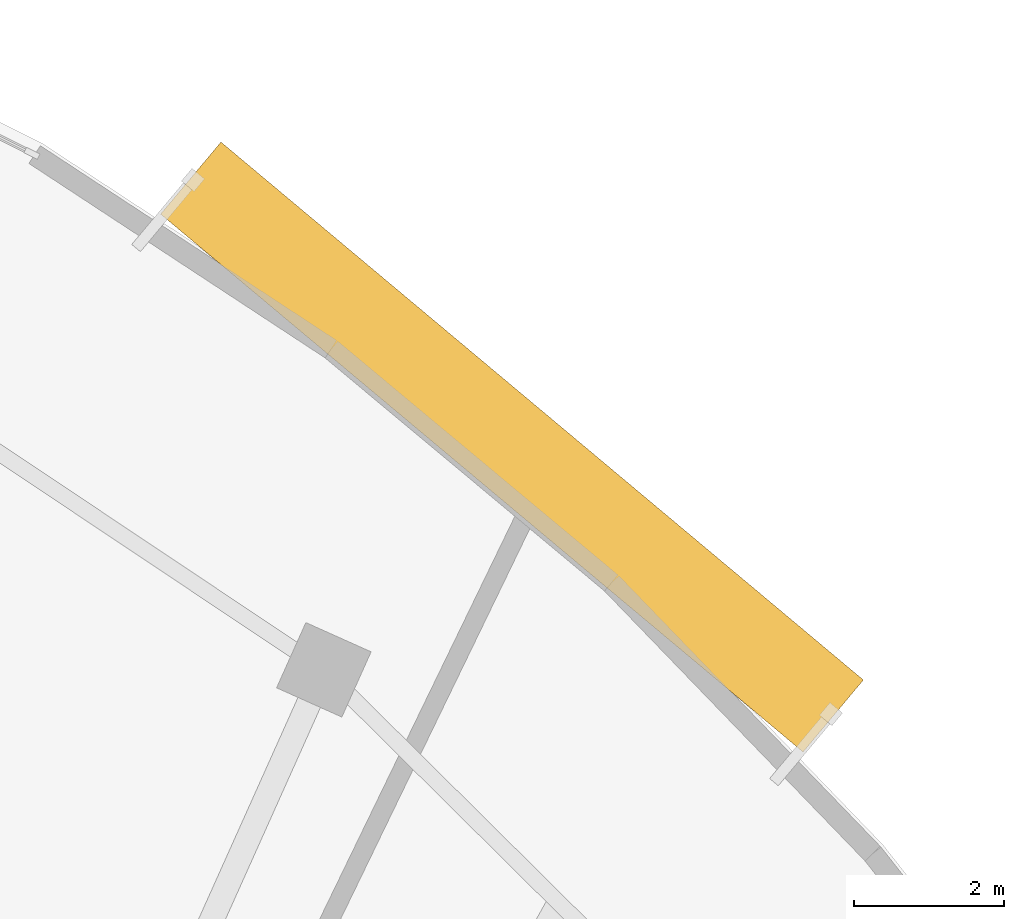
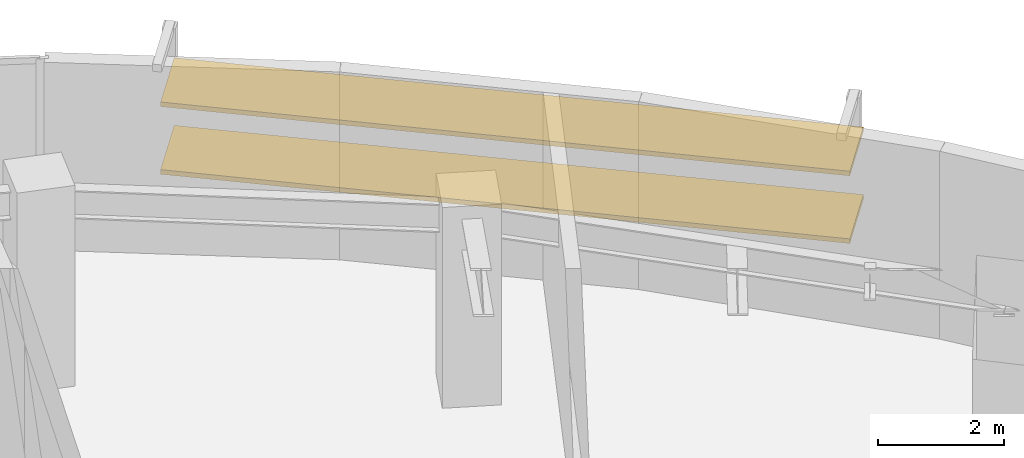
# One storey, part 13 of 13: 2 shading devices.
"""IFC4 building model written with IfcOpenShell, lengths in metres."""

from ifc_helpers import new_model, si_unit, direction, frame, origin, origin_2d, place, context, subcontext, project, spatial, rectangle, extrude, source, transform, mapped, material, material_profile, profile_set, type_object, element, save


model = new_model("IFC4")

# Units and contexts
model_context = context("Model", 3, precision=1e-05, world=origin(), true_north=direction((0.0, 1.0)))
body_context = subcontext(model_context, "Body", "Model", "MODEL_VIEW")
ifc_project = project(units=[si_unit("LENGTHUNIT", "METRE"), si_unit("AREAUNIT", "SQUARE_METRE"), si_unit("VOLUMEUNIT", "CUBIC_METRE"), si_unit("PLANEANGLEUNIT", "RADIAN"), si_unit("MASSUNIT", "GRAM", prefix="KILO")], contexts=[model_context])

# Site, building, storey
site_placement = place(None, origin())
site = spatial("IfcSite", under=ifc_project, at=site_placement, CompositionType="ELEMENT")
building_placement = place(site_placement, origin())
building = spatial("IfcBuilding", under=site, at=building_placement, Name="Breltana Convention Tower", CompositionType="ELEMENT")
storey_placement = place(building_placement, frame((0.0, 0.0, 227.39990234375)))
storey = spatial("IfcBuildingStorey", under=building, at=storey_placement, Name="L55", CompositionType="ELEMENT", Elevation=227.39990234375)

# Shading devices
ifc_material = material(Name="Limestone Warm Buff Honed", Category="masonry")
ifc_material_profile = material_profile(ifc_material, rectangle(XDim=1.25, YDim=0.090087890625, at=origin_2d()), Name="STN-LVR-1250X90")
ifc_profile_set = profile_set([ifc_material_profile], Name="Limestone Warm Buff Honed")
shading_device_type = type_object("IfcShadingDeviceType", Name="SHD-OUTER-SKIN-LIMESTONE-1250", PredefinedType="JALOUSIE", material=ifc_profile_set)
shared_shape = source(origin(), body_context, "Body", "SweptSolid", [
    extrude(rectangle(XDim=1.25, YDim=0.090087890625, at=origin_2d()), origin(), (0.0, 0.0, 1.0), 11.138671875),
])
for number, where, z_axis, x_axis, name in (
    (1, (67.141357421875, 75.169921875, 1.314208984375), (0.76671903432, -0.641982805386, 0.0), (0.641982805386, 0.76671903432, 0.0), "L55 outer skin warm limestone louvre 2.1"),
    (2, (67.141357421875, 75.169921875, 2.628173828125), (0.76671903432, -0.641982805386, 0.0), (0.641982805386, 0.76671903432, 0.0), "L55 outer skin warm limestone louvre 2.2"),
):
    element("IfcShadingDevice", number, at=place(storey_placement, frame(where, z_axis=z_axis, x_axis=x_axis)), inside=storey, type_object=shading_device_type, Name=name, PredefinedType="JALOUSIE", context=body_context, shape_type="MappedRepresentation", body=[
        mapped(shared_shape, transform((0.0, 0.0, 0.0), scale=1.0)),
    ])

save(model, "model.ifc")
